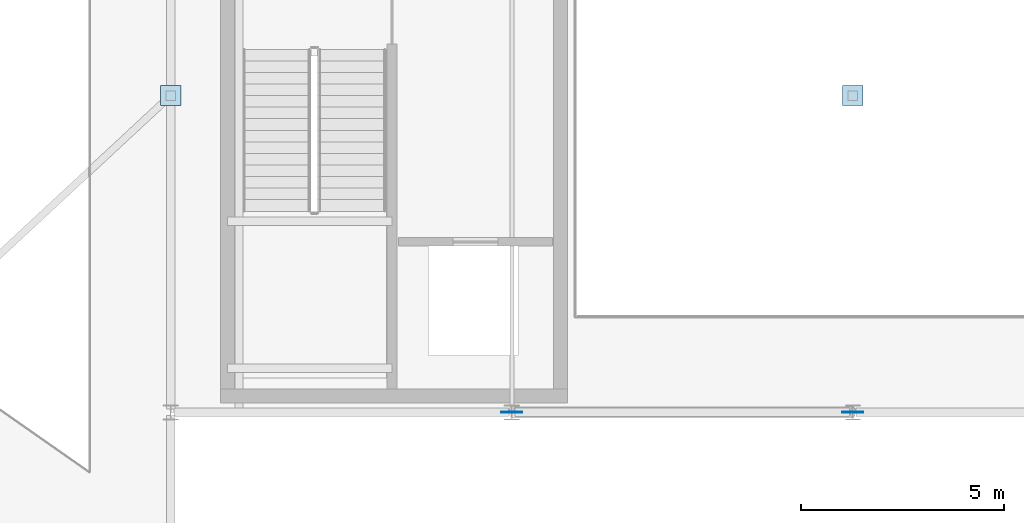
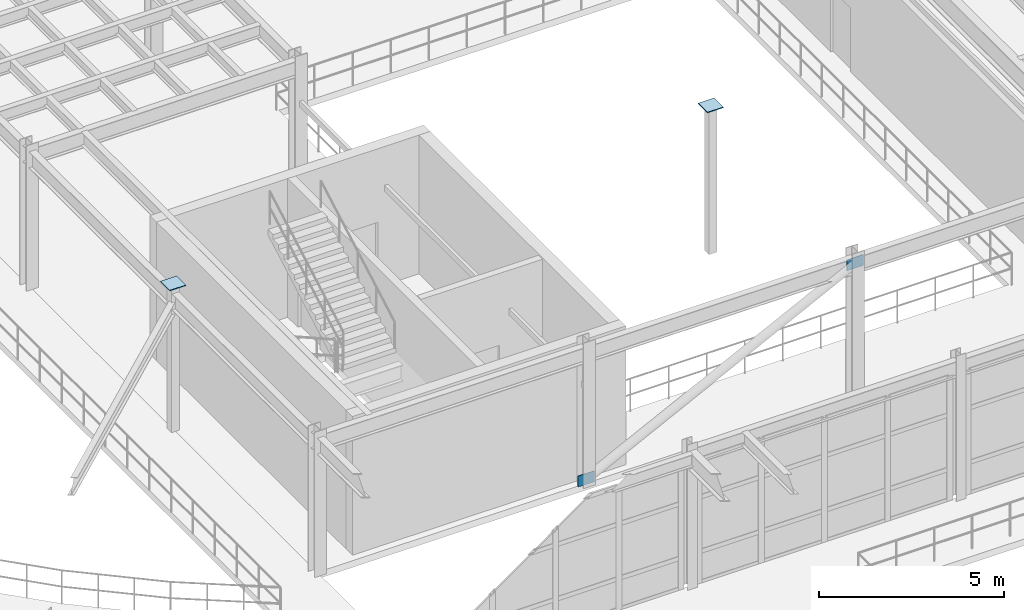
# One storey, part 92 of 116: 4 plates.
"""IFC4 building model written with IfcOpenShell, lengths in metres."""

import ifcopenshell
import ifcopenshell.guid

model = None  # the IFC model being written
_history = None  # IfcOwnerHistory: only IFC2X3 demands one
_inside = {}  # id of a spatial element -> (the spatial element, [elements in it])
_under = {}  # id of a project, library or spatial element -> (it, [spatial elements below it])
_declared = {}  # id of a project -> (the project, [libraries it declares])
_typed = {}  # id of a type object -> (the type object, [elements of that type])
_made_of = {}  # id of a material, layer set ... -> (it, [elements and type objects made of it])


def new_model(schema):
    """Start an empty IFC model of exactly this schema.

    Asked for "IFC4X3", IfcOpenShell would pick the latest addendum, in which some entities
    have other attributes; the version numbers below select the first issue.
    IFC2X3 requires an IfcOwnerHistory on every rooted entity: one is made here for all.
    """
    global model, _history
    if schema == "IFC4X3":
        model = ifcopenshell.file(schema_version=(4, 3, 0, 0))
    else:
        model = ifcopenshell.file(schema=schema)
    _inside.clear()
    _under.clear()
    _declared.clear()
    _typed.clear()
    _made_of.clear()
    _history = None
    if model.schema == "IFC2X3":
        org = make("IfcOrganization", Name="unknown")
        user = make(
            "IfcPersonAndOrganization",
            ThePerson=make("IfcPerson", FamilyName="unknown"),
            TheOrganization=org,
        )
        app = make(
            "IfcApplication",
            ApplicationDeveloper=org,
            Version="unknown",
            ApplicationFullName="unknown",
            ApplicationIdentifier="unknown",
        )
        _history = make(
            "IfcOwnerHistory",
            OwningUser=user,
            OwningApplication=app,
            ChangeAction="ADDED",
            CreationDate=0,
        )
    return model


def make(cls, **values):
    """One entity of the class cls with the attributes given. An attribute that is None is left unset."""
    return model.create_entity(
        cls, **{name: value for name, value in values.items() if value is not None}
    )


def rooted(cls, **values):
    """An entity with a GlobalId (a new one), such as an element, a storey or a relation."""
    return make(cls, GlobalId=ifcopenshell.guid.new(), OwnerHistory=_history, **values)


def si_unit(unit_type, name, prefix=None):
    """IfcSIUnit, for example si_unit("LENGTHUNIT", "METRE", prefix="MILLI")."""
    return make("IfcSIUnit", UnitType=unit_type, Prefix=prefix, Name=name)


def assignment(units):
    """IfcUnitAssignment: the units of a project."""
    return None if units is None else make("IfcUnitAssignment", Units=units)


def point(xyz):
    """IfcCartesianPoint."""
    return None if xyz is None else make("IfcCartesianPoint", Coordinates=xyz)


def direction(xyz):
    """IfcDirection."""
    return None if xyz is None else make("IfcDirection", DirectionRatios=xyz)


def frame(location, z_axis=None, x_axis=None):
    """IfcAxis2Placement3D, a coordinate frame: its origin and axes. An axis left out is left unset."""
    return make(
        "IfcAxis2Placement3D",
        Location=point(location),
        Axis=direction(z_axis),
        RefDirection=direction(x_axis),
    )


def frame_2d(location, x_axis=None):
    """IfcAxis2Placement2D, a coordinate frame in the plane: its origin and x axis."""
    return make(
        "IfcAxis2Placement2D", Location=point(location), RefDirection=direction(x_axis)
    )


def origin():
    """The frame at (0, 0, 0) with its axes left unset."""
    return frame((0.0, 0.0, 0.0))


def origin_2d():
    """The frame at (0, 0) in the plane with its x axis left unset."""
    return frame_2d((0.0, 0.0))


def place(relative_to, where):
    """IfcLocalPlacement: puts the frame where relative to a parent placement (None: the world)."""
    return make(
        "IfcLocalPlacement", PlacementRelTo=relative_to, RelativePlacement=where
    )


def context(
    kind, dimensions, precision=None, world=None, true_north=None, identifier=None
):
    """IfcGeometricRepresentationContext, for example the 3D "Model" context."""
    return make(
        "IfcGeometricRepresentationContext",
        ContextIdentifier=identifier,
        ContextType=kind,
        CoordinateSpaceDimension=dimensions,
        Precision=precision,
        WorldCoordinateSystem=world,
        TrueNorth=true_north,
    )


def subcontext(parent, identifier, kind, view, scale=None):
    """IfcGeometricRepresentationSubContext, for example "Body" below "Model"."""
    return make(
        "IfcGeometricRepresentationSubContext",
        ContextIdentifier=identifier,
        ContextType=kind,
        ParentContext=parent,
        TargetScale=scale,
        TargetView=view,
    )


def project(units=None, contexts=None):
    """IfcProject with its units and contexts."""
    return rooted(
        "IfcProject",
        Name="project",
        RepresentationContexts=contexts,
        UnitsInContext=assignment(units),
    )


def spatial(cls, under=None, at=None, **own):
    """A site, building, storey or space (cls), placed at a placement, below another one or the project."""
    s = rooted(cls, ObjectPlacement=at, **own)
    if under is not None:
        _under.setdefault(under.id(), (under, []))[1].append(s)
    return s


def profile(cls, at=None, kind="AREA", **sizes):
    """A parametric profile (cls). Its sizes go by their IFC names, for example OverallWidth=200.0."""
    return make(cls, ProfileType=kind, Position=at, **sizes)


def rectangle(**sizes):
    """IfcRectangleProfileDef."""
    return profile("IfcRectangleProfileDef", **sizes)


def extrude(swept, where, along, depth):
    """IfcExtrudedAreaSolid: the profile swept, set in the frame where, extruded along a direction by depth."""
    return make(
        "IfcExtrudedAreaSolid",
        SweptArea=swept,
        Position=where,
        ExtrudedDirection=direction(along),
        Depth=depth,
    )


def shape(context_of_items, identifier, shape_type, items):
    """IfcShapeRepresentation: the items that make up one representation, for example the "Body"."""
    return make(
        "IfcShapeRepresentation",
        ContextOfItems=context_of_items,
        RepresentationIdentifier=identifier,
        RepresentationType=shape_type,
        Items=items,
    )


def material(Name=None, Category=None):
    """IfcMaterial."""
    return make("IfcMaterial", Name=Name, Category=Category)


def layer(
    of_material, thickness, ventilated=None, Name=None, Category=None, Priority=None
):
    """IfcMaterialLayer: one layer of a wall or slab, of a material (None: an air gap)."""
    return make(
        "IfcMaterialLayer",
        Material=of_material,
        LayerThickness=thickness,
        IsVentilated=ventilated,
        Name=Name,
        Category=Category,
        Priority=Priority,
    )


def layer_set(layers, Name=None):
    """IfcMaterialLayerSet."""
    return make("IfcMaterialLayerSet", MaterialLayers=layers, LayerSetName=Name)


def made_of(thing, what):
    """Note that an element or type object is made of a material, layer set ...; save() writes the relation."""
    if what is not None:
        _made_of.setdefault(what.id(), (what, []))[1].append(thing)
    return thing


def type_object(cls, material=None, **own):
    """A type object (cls), such as IfcWallType, which elements share."""
    return made_of(rooted(cls, **own), material)


def element(
    cls,
    number,
    at=None,
    inside=None,
    cuts=None,
    type_object=None,
    material=None,
    context=None,
    identifier="Body",
    shape_type=None,
    held_by="IfcProductDefinitionShape",
    body=None,
    shapes=None,
    **own,
):
    """One element of the class cls, such as IfcWall. Its Tag is "e" and its number.

    at: its placement. inside: the storey or other place that contains it. cuts: it is an
    opening in that element (IfcRelVoidsElement). A single representation is given by context,
    identifier, shape_type and body (its items); several are given by shapes. held_by: the class
    of the entity that holds the representations. save() writes the other relations.
    """
    e = rooted(cls, Tag="e%d" % number, ObjectPlacement=at, **own)
    if body is not None:
        shapes = [shape(context, identifier, shape_type, body)]
    if shapes is not None:
        e.Representation = make(held_by, Representations=shapes)
    if inside is not None:
        _inside.setdefault(inside.id(), (inside, []))[1].append(e)
    if cuts is not None:
        rooted(
            "IfcRelVoidsElement", RelatingBuildingElement=cuts, RelatedOpeningElement=e
        )
    if type_object is not None:
        _typed.setdefault(type_object.id(), (type_object, []))[1].append(e)
    return made_of(e, material)


def aggregate(whole, parts):
    """IfcRelAggregates: a whole, such as a stair, and the parts it consists of."""
    return rooted("IfcRelAggregates", RelatingObject=whole, RelatedObjects=parts)


def save(model, path):
    """Write the relations noted so far, then the file.

    IfcRelAggregates (storeys below a building ...), IfcRelContainedInSpatialStructure (elements
    in a storey), IfcRelDefinesByType, IfcRelAssociatesMaterial and IfcRelDeclares: one each for
    every whole, place, type object, material and project.
    """
    for whole, parts in _under.values():
        aggregate(whole, parts)
    for where, things in _inside.values():
        rooted(
            "IfcRelContainedInSpatialStructure",
            RelatedElements=things,
            RelatingStructure=where,
        )
    for kind, things in _typed.values():
        rooted("IfcRelDefinesByType", RelatedObjects=things, RelatingType=kind)
    for what, things in _made_of.values():
        rooted("IfcRelAssociatesMaterial", RelatedObjects=things, RelatingMaterial=what)
    for by, libraries in _declared.values():
        rooted("IfcRelDeclares", RelatingContext=by, RelatedDefinitions=libraries)
    model.write(path)


model = new_model("IFC4")

# Units and contexts
model_context = context("Model", 3, precision=1e-05, world=origin(), true_north=direction((0.0, 1.0)))
body_context = subcontext(model_context, "Body", "Model", "MODEL_VIEW")
ifc_project = project(units=[si_unit("LENGTHUNIT", "METRE"), si_unit("AREAUNIT", "SQUARE_METRE"), si_unit("VOLUMEUNIT", "CUBIC_METRE"), si_unit("PLANEANGLEUNIT", "RADIAN"), si_unit("MASSUNIT", "GRAM", prefix="KILO")], contexts=[model_context])

# Site, building, storey
site_placement = place(None, origin())
site = spatial("IfcSite", under=ifc_project, at=site_placement, CompositionType="ELEMENT")
building_placement = place(site_placement, origin())
building = spatial("IfcBuilding", under=site, at=building_placement, Name="Selat Folded Stagehouse", CompositionType="ELEMENT")
storey_placement = place(building_placement, frame((0.0, 0.0, 5.39990234375)))
storey = spatial("IfcBuildingStorey", under=building, at=storey_placement, Name="L01", CompositionType="ELEMENT", Elevation=5.39990234375)

# Plates
ifc_material = material(Name="Steel S355", Category="steel")
ifc_layer_1 = layer(ifc_material, 0.02490234375)
ifc_layer_set_1 = layer_set([ifc_layer_1], Name="Steel S355")
plate_type_1 = type_object("IfcPlateType", Name="PLT-BASE-500x500x25", PredefinedType="USERDEFINED", material=ifc_layer_set_1)
for number, where, z_axis, x_axis, name in (
    (1, (33.60009765625, 31.199951171875, 4.800048828125), (0.0, 0.0, 1.0), (1.0, 0.0, 0.0), "Pilaster hollow end cap plate 1"),
    (2, (50.39990234375, 31.199951171875, 4.800048828125), (0.0, 0.0, 1.0), (1.0, 0.0, 0.0), "Pilaster hollow end cap plate 2"),
):
    element("IfcPlate", number, at=place(storey_placement, frame(where, z_axis=z_axis, x_axis=x_axis)), inside=storey, type_object=plate_type_1, Name=name, ObjectType="BASE_PLATE", PredefinedType="USERDEFINED", context=body_context, shape_type="SweptSolid", body=[
        extrude(rectangle(XDim=0.5, YDim=0.5, at=origin_2d()), origin(), (0.0, 0.0, 1.0), 0.02490234375),
    ])
ifc_layer_2 = layer(ifc_material, 0.01806640625)
ifc_layer_set_2 = layer_set([ifc_layer_2], Name="Steel S355")
plate_type_2 = type_object("IfcPlateType", Name="PLT-GUSSET-520x360x18", PredefinedType="USERDEFINED", material=ifc_layer_set_2)
for number, where, z_axis, x_axis, name in (
    (3, (42.0, 23.39990234375, -0.02978515625), (0.0, 0.0, 1.0), (1.0, 0.0, 0.0), "L01 VBR-02 end gusset plate 51"),
    (4, (50.39990234375, 23.39990234375, 4.169921875), (0.0, 0.0, 1.0), (1.0, 0.0, 0.0), "L01 VBR-02 end gusset plate 52"),
):
    element("IfcPlate", number, at=place(storey_placement, frame(where, z_axis=z_axis, x_axis=x_axis)), inside=storey, type_object=plate_type_2, Name=name, ObjectType="GUSSET_PLATE", PredefinedType="USERDEFINED", context=body_context, shape_type="SweptSolid", body=[
        extrude(rectangle(XDim=0.52001953125, YDim=0.01806640625, at=origin_2d()), origin(), (0.0, 0.0, 1.0), 0.360107421875),
    ])

save(model, "model.ifc")
